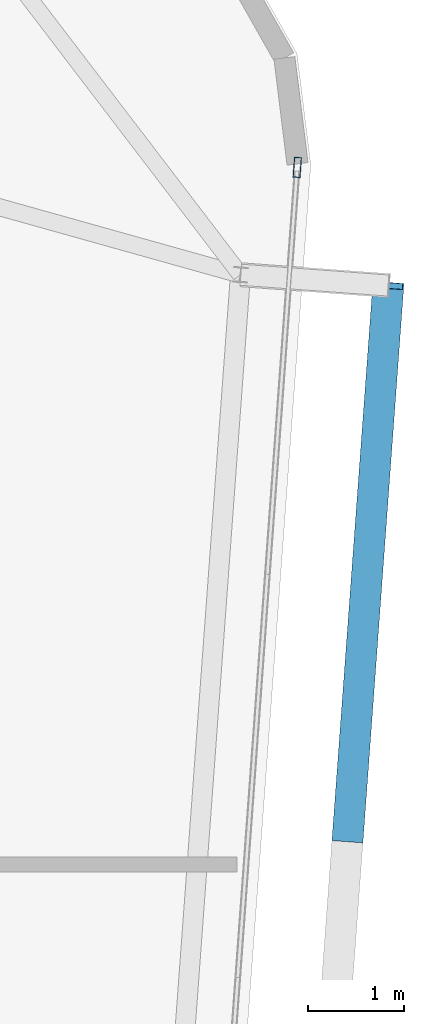
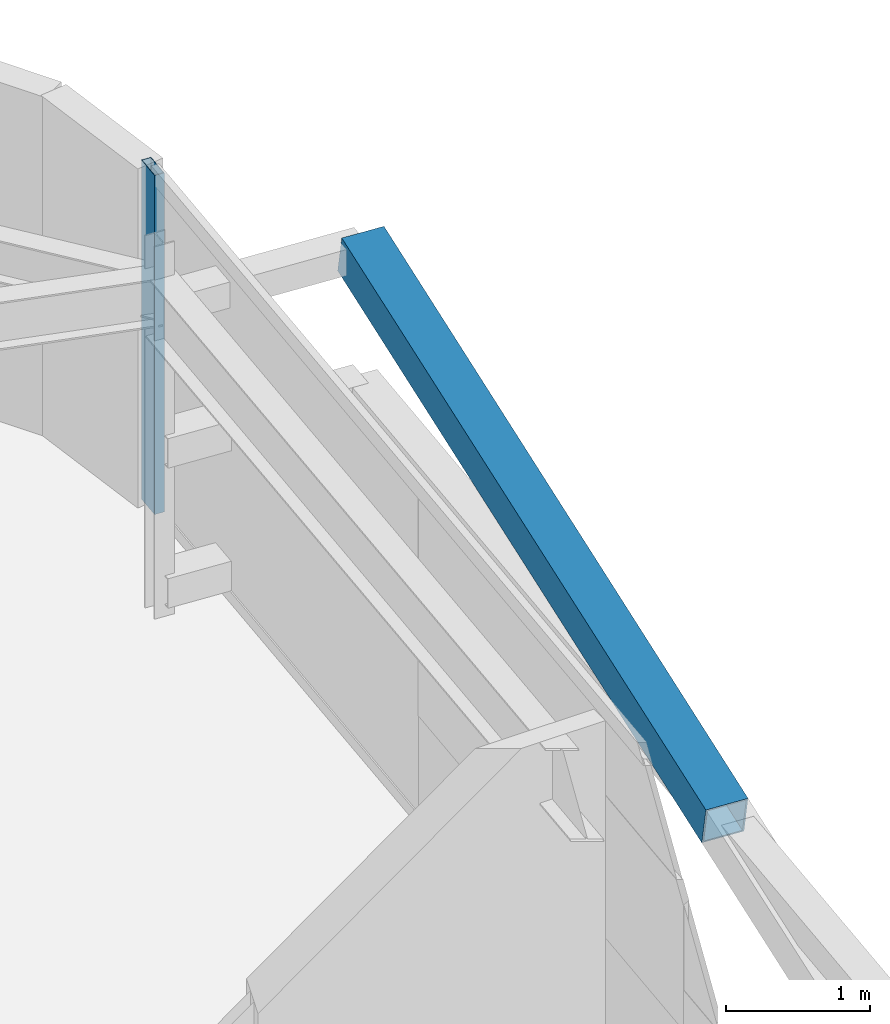
# One storey, part 23 of 40: 2 members, 1 element without a shape of its own.
"""IFC4 building model written with IfcOpenShell, lengths in metres."""

from ifc_helpers import new_model, si_unit, direction, frame, origin, origin_2d, place, context, subcontext, project, spatial, hollow_rectangle, extrude, source, transform, mapped, material, layer, layer_set, material_profile, profile_set, type_object, element, aggregate, save


model = new_model("IFC4")

# Units and contexts
model_context = context("Model", 3, precision=1e-05, world=origin(), true_north=direction((0.0, 1.0)))
body_context = subcontext(model_context, "Body", "Model", "MODEL_VIEW")
ifc_project = project(units=[si_unit("LENGTHUNIT", "METRE"), si_unit("AREAUNIT", "SQUARE_METRE"), si_unit("VOLUMEUNIT", "CUBIC_METRE"), si_unit("PLANEANGLEUNIT", "RADIAN"), si_unit("MASSUNIT", "GRAM", prefix="KILO")], contexts=[model_context])

# Site, building, storey
site_placement = place(None, origin())
site = spatial("IfcSite", under=ifc_project, at=site_placement, CompositionType="ELEMENT")
building_placement = place(site_placement, origin())
building = spatial("IfcBuilding", under=site, at=building_placement, Name="Taldren Reach Tower", CompositionType="ELEMENT")
storey_placement = place(building_placement, frame((0.0, 0.0, 233.449951171875)))
storey = spatial("IfcBuildingStorey", under=building, at=storey_placement, Name="L71", CompositionType="ELEMENT", Elevation=233.449951171875)

# Member
ifc_material_1 = material(Name="Steel Gr 450 (C450L0)", Category="steel")
ifc_material_profile_1 = material_profile(ifc_material_1, hollow_rectangle(XDim=0.324951171875, YDim=0.324951171875, WallThickness=0.0126953125, at=origin_2d()), Name="325x325x12.7SHS")
ifc_profile_set_1 = profile_set([ifc_material_profile_1], Name="Steel Gr 450 (C450L0)")
member_type_1 = type_object("IfcMemberType", Name="MB-BR324", PredefinedType="BRACE", material=ifc_profile_set_1)
shared_shape_1 = source(origin(), body_context, "Body", "SweptSolid", [
    extrude(hollow_rectangle(XDim=0.324951171875, YDim=0.324951171875, WallThickness=0.0126953125, at=origin_2d()), origin(), (0.0, 0.0, 1.0), 5.919921875),
])
member_1_placement = place(storey_placement, frame((58.661865234375, 24.270751953125, 1.405029296875), z_axis=(0.071759614668, 0.977126753058, 0.200184580228), x_axis=(-0.997314185625, 0.073242167855, 0.0)))
element("IfcMember", 1, at=member_1_placement, inside=storey, type_object=member_type_1, Name="Exoskeleton Diagrid Brace B5-E2 L71", PredefinedType="BRACE", context=body_context, shape_type="MappedRepresentation", body=[
    mapped(shared_shape_1, transform((0.0, 0.0, 0.0), scale=1.0)),
])

# Curtain wall, member
ifc_material_2 = material(Name="Aluminium and Low-E Glass Unitised System", Category="aluminium")
ifc_layer = layer(ifc_material_2, 0.159912109375)
ifc_layer_set = layer_set([ifc_layer], Name="Aluminium and Low-E Glass Unitised System")
curtain_wall_type = type_object("IfcCurtainWallType", Name="CW-SYS-7", PredefinedType="NOTDEFINED", material=ifc_layer_set)
curtain_wall_placement = place(storey_placement, origin())
curtain_wall = element("IfcCurtainWall", 2, at=curtain_wall_placement, inside=storey, type_object=curtain_wall_type, Name="Unitised curtain wall CW-L71-E", PredefinedType="NOTDEFINED")
ifc_material_3 = material(Name="Anodised Aluminium 6063-T6", Category="aluminium")
ifc_material_profile_2 = material_profile(ifc_material_3, hollow_rectangle(XDim=0.074951171875, YDim=0.2099609375, WallThickness=0.00439453125, at=origin_2d()), Name="ALU-210x75x4.5RHS")
ifc_profile_set_2 = profile_set([ifc_material_profile_2], Name="Anodised Aluminium 6063-T6")
member_type_2 = type_object("IfcMemberType", Name="CW-MUL-200", PredefinedType="MULLION", material=ifc_profile_set_2)
shared_shape_2 = source(origin(), body_context, "Body", "SweptSolid", [
    extrude(hollow_rectangle(XDim=0.074951171875, YDim=0.2099609375, WallThickness=0.00439453125, at=origin_2d()), origin(), (0.0, 0.0, 1.0), 2.8701171875),
])
member_2_placement = place(storey_placement, frame((58.134765625, 31.29052734375, 0.0), z_axis=(0.0, 0.0, 1.0), x_axis=(-0.997314470951, 0.073238282558, 0.0)))
member_2 = element("IfcMember", 3, at=member_2_placement, type_object=member_type_2, Name="CW-7 mullion 3", PredefinedType="MULLION", context=body_context, shape_type="MappedRepresentation", body=[
    mapped(shared_shape_2, transform((0.0, 0.0, 0.0), scale=1.0)),
])
aggregate(curtain_wall, [member_2])

save(model, "model.ifc")
